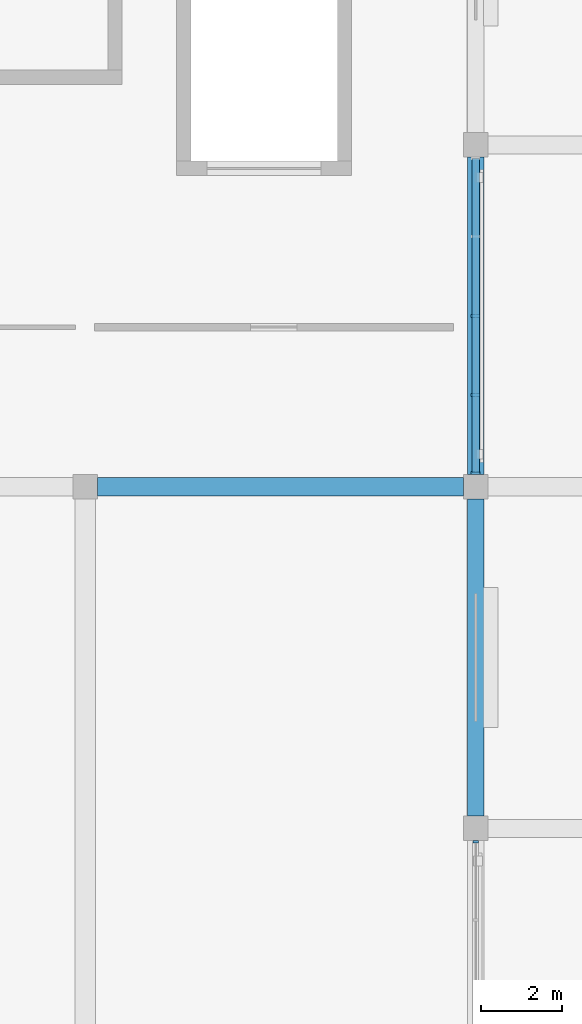
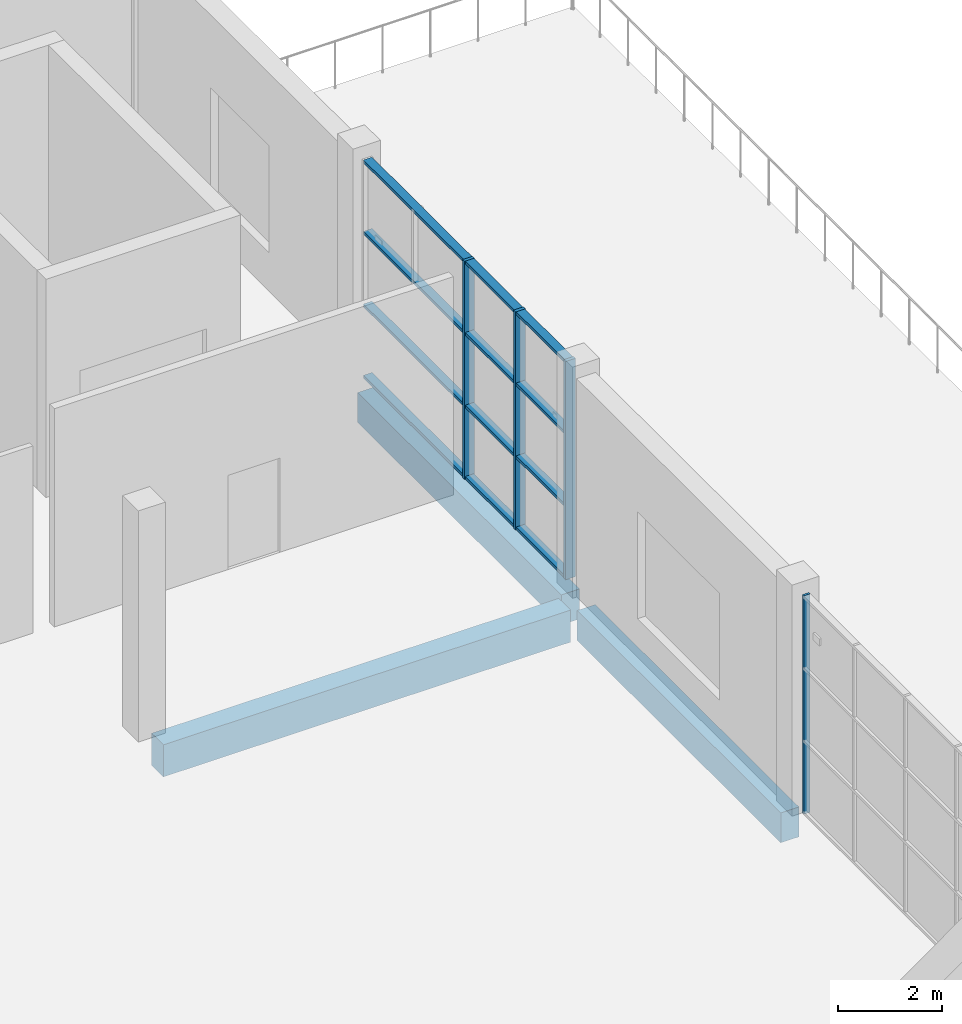
# One storey, part 17 of 72: 8 members, 3 beams, 2 elements without a shape of their own.
"""IFC4 building model written with IfcOpenShell, lengths in metres."""

from ifc_helpers import new_model, si_unit, direction, frame, origin, origin_2d, place, context, subcontext, project, spatial, rectangle, extrude, material, material_profile, profile_set, type_object, element, aggregate, save


model = new_model("IFC4")

# Units and contexts
model_context = context("Model", 3, precision=1e-05, world=origin(), true_north=direction((0.0, 1.0)))
body_context = subcontext(model_context, "Body", "Model", "MODEL_VIEW")
ifc_project = project(units=[si_unit("LENGTHUNIT", "METRE"), si_unit("AREAUNIT", "SQUARE_METRE"), si_unit("VOLUMEUNIT", "CUBIC_METRE"), si_unit("PLANEANGLEUNIT", "RADIAN"), si_unit("MASSUNIT", "GRAM", prefix="KILO")], contexts=[model_context])

# Site, building, storey
site_placement = place(None, origin())
site = spatial("IfcSite", under=ifc_project, at=site_placement, CompositionType="ELEMENT")
building_placement = place(site_placement, origin())
building = spatial("IfcBuilding", under=site, at=building_placement, Name="Shalvenor Court Art Gallery", CompositionType="ELEMENT")
storey_placement = place(building_placement, frame((0.0, 0.0, 11.39990234375)))
storey = spatial("IfcBuildingStorey", under=building, at=storey_placement, Name="L02", CompositionType="ELEMENT", Elevation=11.39990234375)

# Beams
ifc_material_1 = material(Name="Concrete C40/50", Category="concrete")
ifc_material_profile_1 = material_profile(ifc_material_1, rectangle(XDim=0.449951171875, YDim=0.75, at=origin_2d()), Name="RC 450x750")
ifc_profile_set_1 = profile_set([ifc_material_profile_1], Name="Concrete C40/50")
beam_type_1 = type_object("IfcBeamType", Name="B-04", PredefinedType="BEAM", material=ifc_profile_set_1)
beam_placement = place(storey_placement, frame((19.5, 105.60009765625, -0.69482421875), z_axis=(1.0, 0.0, 0.0), x_axis=(0.0, 1.0, 0.0)))
element("IfcBeam", 1, at=beam_placement, inside=storey, type_object=beam_type_1, Name="L02 Girder BM-L02-B-04-0886", PredefinedType="BEAM", context=body_context, shape_type="SweptSolid", body=[
    extrude(rectangle(XDim=0.449951171875, YDim=0.75, at=origin_2d()), origin(), (0.0, 0.0, 1.0), 9.0),
])
ifc_material_2 = material(Name="Concrete C40/50", Category="concrete")
ifc_material_profile_2 = material_profile(ifc_material_2, rectangle(XDim=0.39990234375, YDim=0.699951171875, at=origin_2d()), Name="RC 400x700")
ifc_profile_set_2 = profile_set([ifc_material_profile_2], Name="Concrete C40/50")
beam_type_2 = type_object("IfcBeamType", Name="B-05", PredefinedType="BEAM", material=ifc_profile_set_2)
for number, where, z_axis, x_axis, name in (
    (2, (28.800048828125, 97.5, -0.669921875), (0.0, 1.0, 0.0), (-1.0, 0.0, 0.0), "L02 Girder BM-L02-B-05-0712"),
    (3, (28.800048828125, 105.89990234375, -0.669921875), (0.0, 1.0, 0.0), (-1.0, 0.0, 0.0), "L02 Girder BM-L02-B-05-0713"),
):
    element("IfcBeam", number, at=place(storey_placement, frame(where, z_axis=z_axis, x_axis=x_axis)), inside=storey, type_object=beam_type_2, Name=name, PredefinedType="BEAM", context=body_context, shape_type="SweptSolid", body=[
        extrude(rectangle(XDim=0.39990234375, YDim=0.699951171875, at=origin_2d()), origin(), (0.0, 0.0, 1.0), 7.800048828125),
    ])

# Curtain wall, members
ifc_material_3 = material(Name="Anodised aluminium and low-iron glass curtain wall", Category="aluminium")
curtain_wall_type_1 = type_object("IfcCurtainWallType", Name="CW-4x3-78-51-441", PredefinedType="USERDEFINED", material=ifc_material_3)
curtain_wall_1_placement = place(storey_placement, origin())
curtain_wall_1 = element("IfcCurtainWall", 4, at=curtain_wall_1_placement, inside=storey, type_object=curtain_wall_type_1, Name="L02 V5 Curtain Wall CW-L02-182", ObjectType="CURTAIN WALL", PredefinedType="USERDEFINED")
ifc_material_4 = material(Name="Anodised aluminium mullion", Category="aluminium")
ifc_material_profile_3 = material_profile(ifc_material_4, rectangle(XDim=0.074951171875, YDim=0.219970703125, at=origin_2d()), Name="CWM-04")
ifc_profile_set_3 = profile_set([ifc_material_profile_3], Name="Anodised aluminium mullion")
member_type_1 = type_object("IfcMemberType", Name="CWM-04", PredefinedType="MULLION", material=ifc_profile_set_3)
member_1_placement = place(storey_placement, frame((28.800048828125, 109.800048828125, 0.0), z_axis=(0.0, 0.0, 1.0), x_axis=(0.0, -1.0, 0.0)))
member_1 = element("IfcMember", 5, at=member_1_placement, type_object=member_type_1, Name="CW-4x3-78-51-441 mullion 3", PredefinedType="MULLION", context=body_context, shape_type="SweptSolid", body=[
    extrude(rectangle(XDim=0.074951171875, YDim=0.219970703125, at=origin_2d()), origin(), (0.0, 0.0, 1.0), 5.10009765625),
])
member_2_placement = place(storey_placement, frame((28.800048828125, 107.85009765625, 0.0), z_axis=(0.0, 0.0, 1.0), x_axis=(0.0, -1.0, 0.0)))
member_2 = element("IfcMember", 6, at=member_2_placement, type_object=member_type_1, Name="CW-4x3-78-51-441 mullion 4", PredefinedType="MULLION", context=body_context, shape_type="SweptSolid", body=[
    extrude(rectangle(XDim=0.074951171875, YDim=0.219970703125, at=origin_2d()), origin(), (0.0, 0.0, 1.0), 5.10009765625),
])
member_3_placement = place(storey_placement, frame((28.800048828125, 105.9375, 0.0), z_axis=(0.0, 0.0, 1.0), x_axis=(0.0, -1.0, 0.0)))
member_3 = element("IfcMember", 7, at=member_3_placement, type_object=member_type_1, Name="CW-4x3-78-51-441 mullion 5", PredefinedType="MULLION", context=body_context, shape_type="SweptSolid", body=[
    extrude(rectangle(XDim=0.074951171875, YDim=0.219970703125, at=origin_2d()), origin(), (0.0, 0.0, 1.0), 5.10009765625),
])

# Curtain wall, member
ifc_material_5 = material(Name="Anodised aluminium and low-iron glass curtain wall", Category="aluminium")
curtain_wall_type_2 = type_object("IfcCurtainWallType", Name="CW-4x3-78-51-611", PredefinedType="USERDEFINED", material=ifc_material_5)
curtain_wall_2_placement = place(storey_placement, origin())
curtain_wall_2 = element("IfcCurtainWall", 8, at=curtain_wall_2_placement, inside=storey, type_object=curtain_wall_type_2, Name="L02 V5 Curtain Wall CW-L02-183", ObjectType="CURTAIN WALL", PredefinedType="USERDEFINED")
ifc_material_6 = material(Name="Anodised aluminium mullion", Category="aluminium")
ifc_material_profile_4 = material_profile(ifc_material_6, rectangle(XDim=0.054931640625, YDim=0.139892578125, at=origin_2d()), Name="CWM-06")
ifc_profile_set_4 = profile_set([ifc_material_profile_4], Name="Anodised aluminium mullion")
member_type_2 = type_object("IfcMemberType", Name="CWM-06", PredefinedType="MULLION", material=ifc_profile_set_4)
member_4_placement = place(storey_placement, frame((28.800048828125, 96.87255859375, 0.0), z_axis=(0.0, 0.0, 1.0), x_axis=(0.0, -1.0, 0.0)))
member_4 = element("IfcMember", 9, at=member_4_placement, type_object=member_type_2, Name="CW-4x3-78-51-611 mullion 1", PredefinedType="MULLION", context=body_context, shape_type="SweptSolid", body=[
    extrude(rectangle(XDim=0.054931640625, YDim=0.139892578125, at=origin_2d()), origin(), (0.0, 0.0, 1.0), 5.10009765625),
])
aggregate(curtain_wall_2, [member_4])

# Member
ifc_material_7 = material(Name="Anodised aluminium transom", Category="aluminium")
ifc_material_profile_5 = material_profile(ifc_material_7, rectangle(XDim=0.18994140625, YDim=0.070068359375, at=origin_2d()), Name="CWT-04")
ifc_profile_set_5 = profile_set([ifc_material_profile_5], Name="Anodised aluminium transom")
member_type_3 = type_object("IfcMemberType", Name="CWT-04", PredefinedType="USERDEFINED", material=ifc_profile_set_5)
member_5_placement = place(storey_placement, frame((28.800048828125, 113.66259765625, 0.03515625), z_axis=(0.0, -1.0, 0.0), x_axis=(1.0, 0.0, 0.0)))
member_5 = element("IfcMember", 10, at=member_5_placement, type_object=member_type_3, Name="CW-4x3-78-51-441 transom 1", ObjectType="TRANSOM", PredefinedType="USERDEFINED", context=body_context, shape_type="SweptSolid", body=[
    extrude(rectangle(XDim=0.18994140625, YDim=0.070068359375, at=origin_2d()), origin(), (0.0, 0.0, 1.0), 7.72509765625),
])

member_6_placement = place(storey_placement, frame((28.800048828125, 113.66259765625, 1.7001953125), z_axis=(0.0, -1.0, 0.0), x_axis=(1.0, 0.0, 0.0)))
member_6 = element("IfcMember", 11, at=member_6_placement, type_object=member_type_3, Name="CW-4x3-78-51-441 transom 2", ObjectType="TRANSOM", PredefinedType="USERDEFINED", context=body_context, shape_type="SweptSolid", body=[
    extrude(rectangle(XDim=0.18994140625, YDim=0.070068359375, at=origin_2d()), origin(), (0.0, 0.0, 1.0), 7.72509765625),
])

member_7_placement = place(storey_placement, frame((28.800048828125, 113.66259765625, 3.400146484375), z_axis=(0.0, -1.0, 0.0), x_axis=(1.0, 0.0, 0.0)))
member_7 = element("IfcMember", 12, at=member_7_placement, type_object=member_type_3, Name="CW-4x3-78-51-441 transom 3", ObjectType="TRANSOM", PredefinedType="USERDEFINED", context=body_context, shape_type="SweptSolid", body=[
    extrude(rectangle(XDim=0.18994140625, YDim=0.070068359375, at=origin_2d()), origin(), (0.0, 0.0, 1.0), 7.72509765625),
])

member_8_placement = place(storey_placement, frame((28.800048828125, 113.66259765625, 5.065185546875), z_axis=(0.0, -1.0, 0.0), x_axis=(1.0, 0.0, 0.0)))
member_8 = element("IfcMember", 13, at=member_8_placement, type_object=member_type_3, Name="CW-4x3-78-51-441 transom 4", ObjectType="TRANSOM", PredefinedType="USERDEFINED", context=body_context, shape_type="SweptSolid", body=[
    extrude(rectangle(XDim=0.18994140625, YDim=0.070068359375, at=origin_2d()), origin(), (0.0, 0.0, 1.0), 7.72509765625),
])

aggregate(curtain_wall_1, [member_1, member_2, member_3, member_5, member_6, member_7, member_8])

save(model, "model.ifc")
